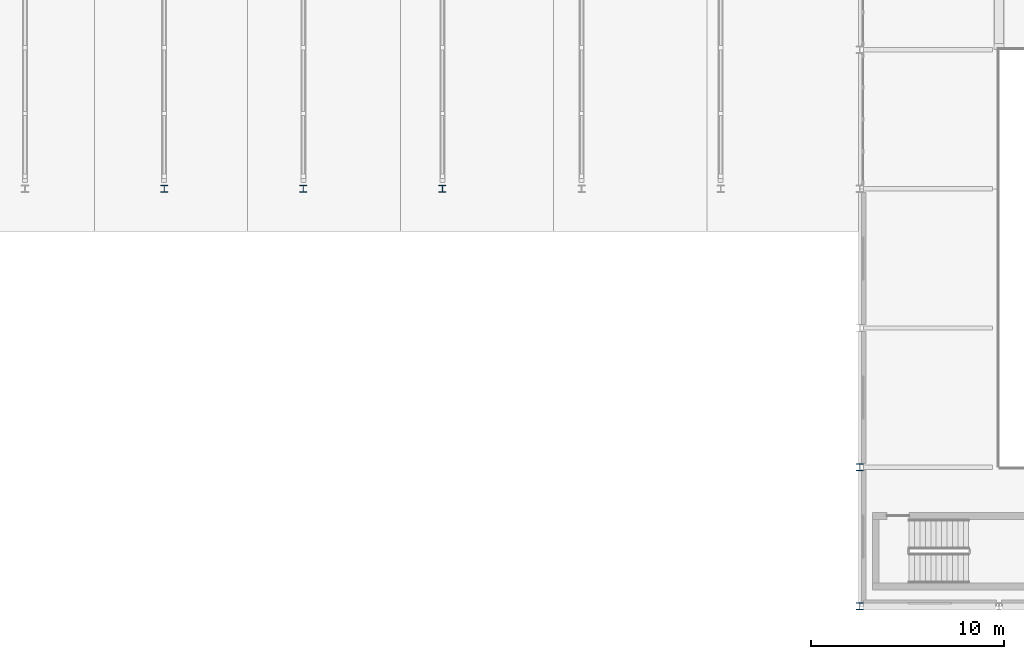
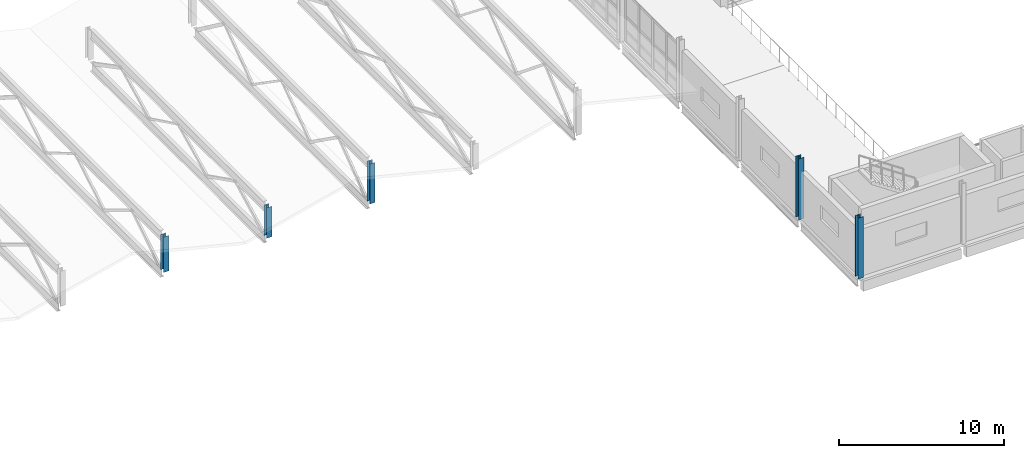
# One storey, part 5 of 123: 5 columns.
"""IFC4 building model written with IfcOpenShell, lengths in metres."""

import ifcopenshell
import ifcopenshell.guid

model = None  # the IFC model being written
_history = None  # IfcOwnerHistory: only IFC2X3 demands one
_inside = {}  # id of a spatial element -> (the spatial element, [elements in it])
_under = {}  # id of a project, library or spatial element -> (it, [spatial elements below it])
_declared = {}  # id of a project -> (the project, [libraries it declares])
_typed = {}  # id of a type object -> (the type object, [elements of that type])
_made_of = {}  # id of a material, layer set ... -> (it, [elements and type objects made of it])


def new_model(schema):
    """Start an empty IFC model of exactly this schema.

    Asked for "IFC4X3", IfcOpenShell would pick the latest addendum, in which some entities
    have other attributes; the version numbers below select the first issue.
    IFC2X3 requires an IfcOwnerHistory on every rooted entity: one is made here for all.
    """
    global model, _history
    if schema == "IFC4X3":
        model = ifcopenshell.file(schema_version=(4, 3, 0, 0))
    else:
        model = ifcopenshell.file(schema=schema)
    _inside.clear()
    _under.clear()
    _declared.clear()
    _typed.clear()
    _made_of.clear()
    _history = None
    if model.schema == "IFC2X3":
        org = make("IfcOrganization", Name="unknown")
        user = make(
            "IfcPersonAndOrganization",
            ThePerson=make("IfcPerson", FamilyName="unknown"),
            TheOrganization=org,
        )
        app = make(
            "IfcApplication",
            ApplicationDeveloper=org,
            Version="unknown",
            ApplicationFullName="unknown",
            ApplicationIdentifier="unknown",
        )
        _history = make(
            "IfcOwnerHistory",
            OwningUser=user,
            OwningApplication=app,
            ChangeAction="ADDED",
            CreationDate=0,
        )
    return model


def make(cls, **values):
    """One entity of the class cls with the attributes given. An attribute that is None is left unset."""
    return model.create_entity(
        cls, **{name: value for name, value in values.items() if value is not None}
    )


def rooted(cls, **values):
    """An entity with a GlobalId (a new one), such as an element, a storey or a relation."""
    return make(cls, GlobalId=ifcopenshell.guid.new(), OwnerHistory=_history, **values)


def si_unit(unit_type, name, prefix=None):
    """IfcSIUnit, for example si_unit("LENGTHUNIT", "METRE", prefix="MILLI")."""
    return make("IfcSIUnit", UnitType=unit_type, Prefix=prefix, Name=name)


def assignment(units):
    """IfcUnitAssignment: the units of a project."""
    return None if units is None else make("IfcUnitAssignment", Units=units)


def point(xyz):
    """IfcCartesianPoint."""
    return None if xyz is None else make("IfcCartesianPoint", Coordinates=xyz)


def direction(xyz):
    """IfcDirection."""
    return None if xyz is None else make("IfcDirection", DirectionRatios=xyz)


def frame(location, z_axis=None, x_axis=None):
    """IfcAxis2Placement3D, a coordinate frame: its origin and axes. An axis left out is left unset."""
    return make(
        "IfcAxis2Placement3D",
        Location=point(location),
        Axis=direction(z_axis),
        RefDirection=direction(x_axis),
    )


def frame_2d(location, x_axis=None):
    """IfcAxis2Placement2D, a coordinate frame in the plane: its origin and x axis."""
    return make(
        "IfcAxis2Placement2D", Location=point(location), RefDirection=direction(x_axis)
    )


def origin():
    """The frame at (0, 0, 0) with its axes left unset."""
    return frame((0.0, 0.0, 0.0))


def origin_2d():
    """The frame at (0, 0) in the plane with its x axis left unset."""
    return frame_2d((0.0, 0.0))


def place(relative_to, where):
    """IfcLocalPlacement: puts the frame where relative to a parent placement (None: the world)."""
    return make(
        "IfcLocalPlacement", PlacementRelTo=relative_to, RelativePlacement=where
    )


def context(
    kind, dimensions, precision=None, world=None, true_north=None, identifier=None
):
    """IfcGeometricRepresentationContext, for example the 3D "Model" context."""
    return make(
        "IfcGeometricRepresentationContext",
        ContextIdentifier=identifier,
        ContextType=kind,
        CoordinateSpaceDimension=dimensions,
        Precision=precision,
        WorldCoordinateSystem=world,
        TrueNorth=true_north,
    )


def subcontext(parent, identifier, kind, view, scale=None):
    """IfcGeometricRepresentationSubContext, for example "Body" below "Model"."""
    return make(
        "IfcGeometricRepresentationSubContext",
        ContextIdentifier=identifier,
        ContextType=kind,
        ParentContext=parent,
        TargetScale=scale,
        TargetView=view,
    )


def project(units=None, contexts=None):
    """IfcProject with its units and contexts."""
    return rooted(
        "IfcProject",
        Name="project",
        RepresentationContexts=contexts,
        UnitsInContext=assignment(units),
    )


def spatial(cls, under=None, at=None, **own):
    """A site, building, storey or space (cls), placed at a placement, below another one or the project."""
    s = rooted(cls, ObjectPlacement=at, **own)
    if under is not None:
        _under.setdefault(under.id(), (under, []))[1].append(s)
    return s


def profile(cls, at=None, kind="AREA", **sizes):
    """A parametric profile (cls). Its sizes go by their IFC names, for example OverallWidth=200.0."""
    return make(cls, ProfileType=kind, Position=at, **sizes)


def i_section(**sizes):
    """IfcIShapeProfileDef."""
    return profile("IfcIShapeProfileDef", **sizes)


def extrude(swept, where, along, depth):
    """IfcExtrudedAreaSolid: the profile swept, set in the frame where, extruded along a direction by depth."""
    return make(
        "IfcExtrudedAreaSolid",
        SweptArea=swept,
        Position=where,
        ExtrudedDirection=direction(along),
        Depth=depth,
    )


def shape(context_of_items, identifier, shape_type, items):
    """IfcShapeRepresentation: the items that make up one representation, for example the "Body"."""
    return make(
        "IfcShapeRepresentation",
        ContextOfItems=context_of_items,
        RepresentationIdentifier=identifier,
        RepresentationType=shape_type,
        Items=items,
    )


def material(Name=None, Category=None):
    """IfcMaterial."""
    return make("IfcMaterial", Name=Name, Category=Category)


def material_profile(
    of_material, cross_section, Name=None, Category=None, Priority=None
):
    """IfcMaterialProfile: a cross section and its material."""
    return make(
        "IfcMaterialProfile",
        Name=Name,
        Material=of_material,
        Profile=cross_section,
        Priority=Priority,
        Category=Category,
    )


def profile_set(profiles, Name=None, composite=None):
    """IfcMaterialProfileSet."""
    return make(
        "IfcMaterialProfileSet",
        Name=Name,
        MaterialProfiles=profiles,
        CompositeProfile=composite,
    )


def made_of(thing, what):
    """Note that an element or type object is made of a material, layer set ...; save() writes the relation."""
    if what is not None:
        _made_of.setdefault(what.id(), (what, []))[1].append(thing)
    return thing


def type_object(cls, material=None, **own):
    """A type object (cls), such as IfcWallType, which elements share."""
    return made_of(rooted(cls, **own), material)


def element(
    cls,
    number,
    at=None,
    inside=None,
    cuts=None,
    type_object=None,
    material=None,
    context=None,
    identifier="Body",
    shape_type=None,
    held_by="IfcProductDefinitionShape",
    body=None,
    shapes=None,
    **own,
):
    """One element of the class cls, such as IfcWall. Its Tag is "e" and its number.

    at: its placement. inside: the storey or other place that contains it. cuts: it is an
    opening in that element (IfcRelVoidsElement). A single representation is given by context,
    identifier, shape_type and body (its items); several are given by shapes. held_by: the class
    of the entity that holds the representations. save() writes the other relations.
    """
    e = rooted(cls, Tag="e%d" % number, ObjectPlacement=at, **own)
    if body is not None:
        shapes = [shape(context, identifier, shape_type, body)]
    if shapes is not None:
        e.Representation = make(held_by, Representations=shapes)
    if inside is not None:
        _inside.setdefault(inside.id(), (inside, []))[1].append(e)
    if cuts is not None:
        rooted(
            "IfcRelVoidsElement", RelatingBuildingElement=cuts, RelatedOpeningElement=e
        )
    if type_object is not None:
        _typed.setdefault(type_object.id(), (type_object, []))[1].append(e)
    return made_of(e, material)


def aggregate(whole, parts):
    """IfcRelAggregates: a whole, such as a stair, and the parts it consists of."""
    return rooted("IfcRelAggregates", RelatingObject=whole, RelatedObjects=parts)


def save(model, path):
    """Write the relations noted so far, then the file.

    IfcRelAggregates (storeys below a building ...), IfcRelContainedInSpatialStructure (elements
    in a storey), IfcRelDefinesByType, IfcRelAssociatesMaterial and IfcRelDeclares: one each for
    every whole, place, type object, material and project.
    """
    for whole, parts in _under.values():
        aggregate(whole, parts)
    for where, things in _inside.values():
        rooted(
            "IfcRelContainedInSpatialStructure",
            RelatedElements=things,
            RelatingStructure=where,
        )
    for kind, things in _typed.values():
        rooted("IfcRelDefinesByType", RelatedObjects=things, RelatingType=kind)
    for what, things in _made_of.values():
        rooted("IfcRelAssociatesMaterial", RelatedObjects=things, RelatingMaterial=what)
    for by, libraries in _declared.values():
        rooted("IfcRelDeclares", RelatingContext=by, RelatedDefinitions=libraries)
    model.write(path)


model = new_model("IFC4")

# Units and contexts
model_context = context("Model", 3, precision=1e-05, world=origin(), true_north=direction((0.0, 1.0)))
body_context = subcontext(model_context, "Body", "Model", "MODEL_VIEW")
ifc_project = project(units=[si_unit("LENGTHUNIT", "METRE"), si_unit("AREAUNIT", "SQUARE_METRE"), si_unit("VOLUMEUNIT", "CUBIC_METRE"), si_unit("PLANEANGLEUNIT", "RADIAN"), si_unit("MASSUNIT", "GRAM", prefix="KILO")], contexts=[model_context])

# Site, building, storey
site_placement = place(None, origin())
site = spatial("IfcSite", under=ifc_project, at=site_placement, CompositionType="ELEMENT")
building_placement = place(site_placement, origin())
building = spatial("IfcBuilding", under=site, at=building_placement, Name="Kalmorath City Hall", CompositionType="ELEMENT")
storey_placement = place(building_placement, frame((0.0, 0.0, 10.199951171875)))
storey = spatial("IfcBuildingStorey", under=building, at=storey_placement, Name="L02", CompositionType="ELEMENT", Elevation=10.199951171875)

# Columns
ifc_material = material(Name="Steel ASTM A992 Grade 50", Category="steel")
ifc_material_profile = material_profile(ifc_material, i_section(OverallWidth=0.368896484375, OverallDepth=0.35595703125, WebThickness=0.01123046875, FlangeThickness=0.01806640625, FilletRadius=0.01806640625, at=origin_2d()), Name="W14X90")
ifc_profile_set = profile_set([ifc_material_profile], Name="Steel ASTM A992 Grade 50")
column_type = type_object("IfcColumnType", Name="Steel wide-flange column W14X90", PredefinedType="COLUMN", material=ifc_profile_set)
for number, where, z_axis, x_axis, name in (
    (1, (115.199951171875, 0.0, 0.0), (0.0, 0.0, 1.0), (1.0, 0.0, 0.0), "L02 column SC3 (17/1)"),
    (2, (115.199951171875, 7.199951171875, 0.0), (0.0, 0.0, 1.0), (1.0, 0.0, 0.0), "L02 column SC3 (17/2)"),
):
    element("IfcColumn", number, at=place(storey_placement, frame(where, z_axis=z_axis, x_axis=x_axis)), inside=storey, type_object=column_type, Name=name, PredefinedType="COLUMN", context=body_context, shape_type="SweptSolid", body=[
        extrude(i_section(OverallWidth=0.368896484375, OverallDepth=0.35595703125, WebThickness=0.01123046875, FlangeThickness=0.01806640625, FilletRadius=0.01806640625, at=origin_2d()), origin(), (0.0, 0.0, 1.0), 4.5),
    ])
column_1_placement = place(storey_placement, frame((79.199951171875, 21.60009765625, 0.0), z_axis=(0.0, 0.0, 1.0), x_axis=(1.0, 0.0, 0.0)))
element("IfcColumn", 3, at=column_1_placement, inside=storey, type_object=column_type, Name="L02 hall truss column SC3-6.3", PredefinedType="COLUMN", context=body_context, shape_type="SweptSolid", body=[
    extrude(i_section(OverallWidth=0.368896484375, OverallDepth=0.35595703125, WebThickness=0.01123046875, FlangeThickness=0.01806640625, FilletRadius=0.01806640625, at=origin_2d()), origin(), (0.0, 0.0, 1.0), 2.60009765625),
])
column_2_placement = place(storey_placement, frame((86.39990234375, 21.60009765625, 0.0), z_axis=(0.0, 0.0, 1.0), x_axis=(1.0, 0.0, 0.0)))
element("IfcColumn", 4, at=column_2_placement, inside=storey, type_object=column_type, Name="L02 hall truss column SC3-7.3", PredefinedType="COLUMN", context=body_context, shape_type="SweptSolid", body=[
    extrude(i_section(OverallWidth=0.368896484375, OverallDepth=0.35595703125, WebThickness=0.01123046875, FlangeThickness=0.01806640625, FilletRadius=0.01806640625, at=origin_2d()), origin(), (0.0, 0.0, 1.0), 2.239990234375),
])
column_3_placement = place(storey_placement, frame((93.60009765625, 21.60009765625, 0.0), z_axis=(0.0, 0.0, 1.0), x_axis=(1.0, 0.0, 0.0)))
element("IfcColumn", 5, at=column_3_placement, inside=storey, type_object=column_type, Name="L02 hall truss column SC3-8.3", PredefinedType="COLUMN", context=body_context, shape_type="SweptSolid", body=[
    extrude(i_section(OverallWidth=0.368896484375, OverallDepth=0.35595703125, WebThickness=0.01123046875, FlangeThickness=0.01806640625, FilletRadius=0.01806640625, at=origin_2d()), origin(), (0.0, 0.0, 1.0), 2.9599609375),
])

save(model, "model.ifc")
